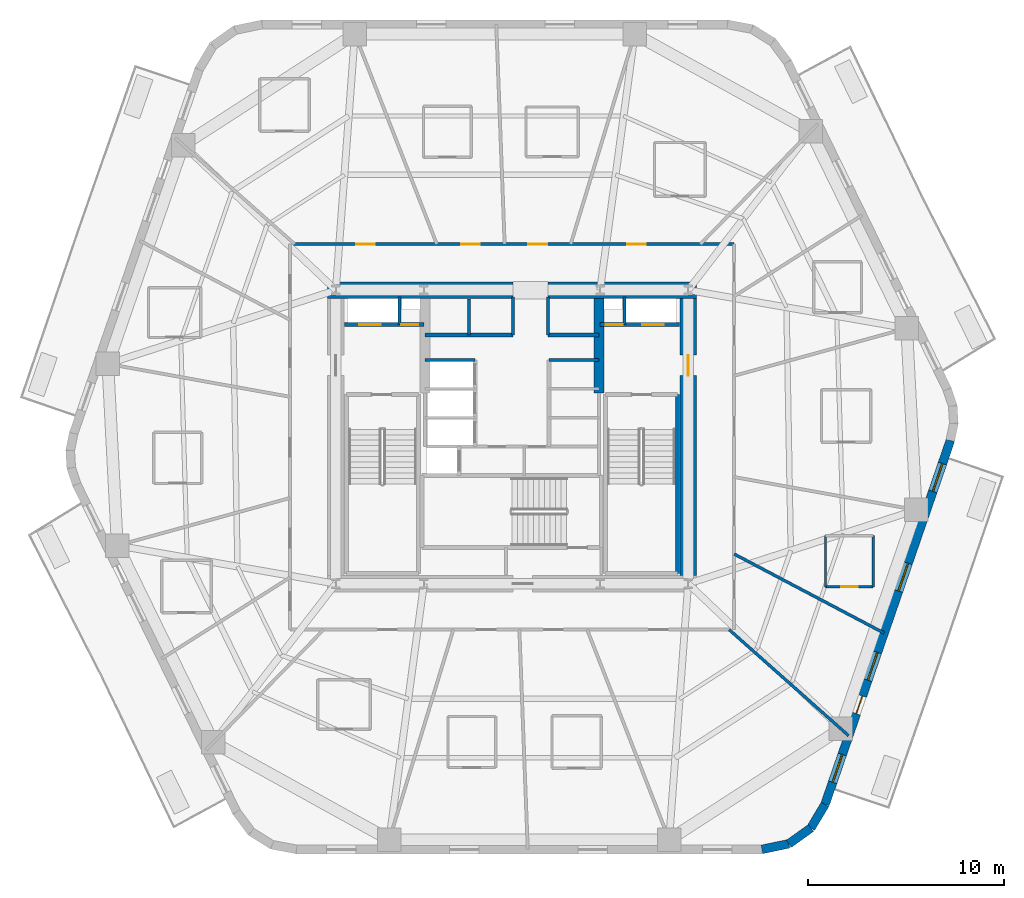
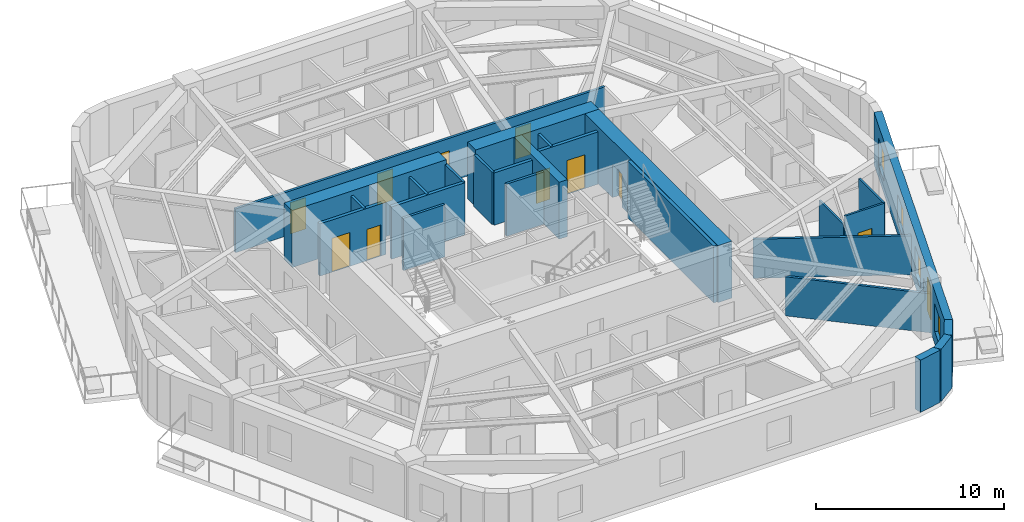
# One storey, part 5 of 10: 26 walls, 11 doors, 4 windows, 15 openings.
"""IFC4 building model written with IfcOpenShell, lengths in metres."""

from ifc_helpers import new_model, si_unit, direction, frame, frame_2d, origin, place, context, subcontext, project, spatial, rectangle, extrude, material, layer, layer_set, type_object, element, fill, save


model = new_model("IFC4")

# Units and contexts
model_context = context("Model", 3, precision=1e-05, world=origin(), true_north=direction((0.0, 1.0)))
body_context = subcontext(model_context, "Body", "Model", "MODEL_VIEW")
ifc_project = project(units=[si_unit("LENGTHUNIT", "METRE"), si_unit("AREAUNIT", "SQUARE_METRE"), si_unit("VOLUMEUNIT", "CUBIC_METRE"), si_unit("PLANEANGLEUNIT", "RADIAN"), si_unit("MASSUNIT", "GRAM", prefix="KILO")], contexts=[model_context])

# Site, building, storey
site_placement = place(None, origin())
site = spatial("IfcSite", under=ifc_project, at=site_placement, CompositionType="ELEMENT")
building_placement = place(site_placement, origin())
building = spatial("IfcBuilding", under=site, at=building_placement, Name="Kilnhurst Terrace Hotel", CompositionType="ELEMENT")
storey_placement = place(building_placement, frame((0.0, 0.0, 121.0)))
storey = spatial("IfcBuildingStorey", under=building, at=storey_placement, Name="L29", CompositionType="ELEMENT", Elevation=121.0)

# Walls
ifc_material_1 = material(Name="Precast concrete C40/50", Category="concrete")
ifc_layer_1 = layer(ifc_material_1, 0.449951171875, Name="Precast concrete C40/50")
ifc_layer_set_1 = layer_set([ifc_layer_1], Name="Precast concrete C40/50")
wall_type_1 = type_object("IfcWallType", Name="WL-BRK-450", PredefinedType="SOLIDWALL", material=ifc_layer_set_1)
wall_1_placement = place(storey_placement, frame((12.7705078125, -21.074951171875, 0.0), z_axis=(0.0, 0.0, 1.0), x_axis=(0.97874281988, 0.205091424819, 0.0)))
element("IfcWall", 1, at=wall_1_placement, inside=storey, type_object=wall_type_1, Name="L29 Rounded Corner Brick Wall C2.1", PredefinedType="SOLIDWALL", context=body_context, shape_type="SweptSolid", body=[
    extrude(rectangle(XDim=1.40576171875, YDim=0.449951171875, at=frame_2d((0.702880859375, 0.0))), origin(), (0.0, 0.0, 1.0), 3.39990234375),
])
wall_2_placement = place(storey_placement, frame((14.146484375, -20.78662109375, 0.0), z_axis=(0.0, 0.0, 1.0), x_axis=(0.814162929117, 0.580636482536, 0.0)))
element("IfcWall", 2, at=wall_2_placement, inside=storey, type_object=wall_type_1, Name="L29 Rounded Corner Brick Wall C2.2", PredefinedType="SOLIDWALL", context=body_context, shape_type="SweptSolid", body=[
    extrude(rectangle(XDim=1.382080078125, YDim=0.449951171875, at=frame_2d((0.69091796875, 0.0))), origin(), (0.0, 0.0, 1.0), 3.39990234375),
])
wall_3_placement = place(storey_placement, frame((15.271728515625, -19.984130859375, 0.0), z_axis=(0.0, 0.0, 1.0), x_axis=(0.512579347361, 0.858639862025, 0.0)))
element("IfcWall", 3, at=wall_3_placement, inside=storey, type_object=wall_type_1, Name="L29 Rounded Corner Brick Wall C2.3", PredefinedType="SOLIDWALL", context=body_context, shape_type="SweptSolid", body=[
    extrude(rectangle(XDim=1.406005859375, YDim=0.449951171875, at=frame_2d((0.703125, 0.0))), origin(), (0.0, 0.0, 1.0), 3.39990234375),
])

# Wall, openings, door, windows
wall_4_placement = place(storey_placement, frame((15.992431640625, -18.77685546875, 0.0), z_axis=(0.0, 0.0, 1.0), x_axis=(0.325606988926, 0.945505202927, 0.0)))
wall_4 = element("IfcWall", 4, at=wall_4_placement, inside=storey, type_object=wall_type_1, Name="L29 Exterior Brick Facade Wall F2", PredefinedType="SOLIDWALL", context=body_context, shape_type="SweptSolid", body=[
    extrude(rectangle(XDim=19.66943359375, YDim=0.449951171875, at=frame_2d((9.834716796875, 0.0))), origin(), (0.0, 0.0, 1.0), 3.39990234375),
])
opening_1_placement = place(wall_4_placement, frame((4.908935546875, 0.0, 0.0)))
opening_1 = element("IfcOpeningElement", 5, at=opening_1_placement, cuts=wall_4, Name="Opening BD-950", PredefinedType="OPENING", context=body_context, shape_type="SweptSolid", body=[
    extrude(rectangle(XDim=0.949951171875, YDim=2.14990234375, at=frame_2d((0.47509765625, 1.074951171875))), frame((0.0, 0.23486328125, 0.0), z_axis=(0.0, -1.0, 0.0), x_axis=(1.0, 0.0, 0.0)), (0.0, 0.0, 1.0), 0.469970703125),
])
opening_2_placement = place(wall_4_placement, frame((1.197021484375, 0.0, 0.800048828125)))
opening_2 = element("IfcOpeningElement", 6, at=opening_2_placement, cuts=wall_4, Name="Opening W-02", PredefinedType="OPENING", context=body_context, shape_type="SweptSolid", body=[
    extrude(rectangle(XDim=1.5, YDim=1.800048828125, at=frame_2d((0.75, 0.89990234375))), frame((0.0, 0.23486328125, 0.0), z_axis=(0.0, -1.0, 0.0), x_axis=(1.0, 0.0, 0.0)), (0.0, 0.0, 1.0), 0.469970703125),
])
opening_3_placement = place(wall_4_placement, frame((6.714111328125, 0.0, 0.800048828125)))
opening_3 = element("IfcOpeningElement", 7, at=opening_3_placement, cuts=wall_4, Name="Opening W-02", PredefinedType="OPENING", context=body_context, shape_type="SweptSolid", body=[
    extrude(rectangle(XDim=1.5, YDim=1.800048828125, at=frame_2d((0.75, 0.89990234375))), frame((0.0, 0.23486328125, 0.0), z_axis=(0.0, -1.0, 0.0), x_axis=(1.0, 0.0, 0.0)), (0.0, 0.0, 1.0), 0.469970703125),
])
opening_4_placement = place(wall_4_placement, frame((11.530029296875, 0.0, 0.800048828125)))
opening_4 = element("IfcOpeningElement", 8, at=opening_4_placement, cuts=wall_4, Name="Opening W-02", PredefinedType="OPENING", context=body_context, shape_type="SweptSolid", body=[
    extrude(rectangle(XDim=1.5, YDim=1.800048828125, at=frame_2d((0.75, 0.89990234375))), frame((0.0, 0.23486328125, 0.0), z_axis=(0.0, -1.0, 0.0), x_axis=(1.0, 0.0, 0.0)), (0.0, 0.0, 1.0), 0.469970703125),
])
opening_5_placement = place(wall_4_placement, frame((16.91796875, 0.0, 0.800048828125)))
opening_5 = element("IfcOpeningElement", 9, at=opening_5_placement, cuts=wall_4, Name="Opening W-02", PredefinedType="OPENING", context=body_context, shape_type="SweptSolid", body=[
    extrude(rectangle(XDim=1.5, YDim=1.800048828125, at=frame_2d((0.75, 0.89990234375))), frame((0.0, 0.23486328125, 0.0), z_axis=(0.0, -1.0, 0.0), x_axis=(1.0, 0.0, 0.0)), (0.0, 0.0, 1.0), 0.469970703125),
])
ifc_material_2 = material(Name="Thermally Broken Bronze Aluminium Alloy 6063-T6 and Laminated Glass", Category="aluminium")
door_type_1 = type_object("IfcDoorType", Name="DR-EXT-BAL-950", OperationType="NOTDEFINED", PredefinedType="DOOR", material=ifc_material_2)
door_1_placement = place(opening_1_placement, origin())
door_1 = element("IfcDoor", 10, at=door_1_placement, inside=storey, type_object=door_type_1, Name="L29 Planted Balcony Door BAL-L1A", OperationType="SINGLE_SWING_RIGHT", OverallHeight=2.14990234375, OverallWidth=0.949951171875, PredefinedType="DOOR", context=body_context, shape_type="SweptSolid", body=[
    extrude(rectangle(XDim=0.949951171875, YDim=2.14990234375, at=frame_2d((0.47509765625, 1.074951171875))), frame((0.0, 0.02490234375, 0.0), z_axis=(0.0, -1.0, 0.0), x_axis=(1.0, 0.0, 0.0)), (0.0, 0.0, 1.0), 0.050048828125),
])
fill(opening_1, door_1)
ifc_material_3 = material(Name="Thermally Broken Bronze Aluminium Alloy 6063-T6 and Low-E Glass", Category="aluminium")
window_type = type_object("IfcWindowType", Name="WIN-1500X1800", PartitioningType="SINGLE_PANEL", PredefinedType="WINDOW", material=ifc_material_3)
window_1_placement = place(opening_2_placement, origin())
window_1 = element("IfcWindow", 11, at=window_1_placement, inside=storey, type_object=window_type, Name="L29 Deep-Set Masonry Window F2.1", OverallHeight=1.800048828125, OverallWidth=1.5, PartitioningType="SINGLE_PANEL", PredefinedType="WINDOW", context=body_context, shape_type="SweptSolid", body=[
    extrude(rectangle(XDim=1.5, YDim=1.800048828125, at=frame_2d((0.75, 0.89990234375))), frame((0.0, 0.030029296875, 0.0), z_axis=(0.0, -1.0, 0.0), x_axis=(1.0, 0.0, 0.0)), (0.0, 0.0, 1.0), 0.06005859375),
])
fill(opening_2, window_1)
window_2_placement = place(opening_3_placement, origin())
window_2 = element("IfcWindow", 12, at=window_2_placement, inside=storey, type_object=window_type, Name="L29 Deep-Set Masonry Window F2.2", OverallHeight=1.800048828125, OverallWidth=1.5, PartitioningType="SINGLE_PANEL", PredefinedType="WINDOW", context=body_context, shape_type="SweptSolid", body=[
    extrude(rectangle(XDim=1.5, YDim=1.800048828125, at=frame_2d((0.75, 0.89990234375))), frame((0.0, 0.030029296875, 0.0), z_axis=(0.0, -1.0, 0.0), x_axis=(1.0, 0.0, 0.0)), (0.0, 0.0, 1.0), 0.06005859375),
])
fill(opening_3, window_2)
window_3_placement = place(opening_4_placement, origin())
window_3 = element("IfcWindow", 13, at=window_3_placement, inside=storey, type_object=window_type, Name="L29 Deep-Set Masonry Window F2.3", OverallHeight=1.800048828125, OverallWidth=1.5, PartitioningType="SINGLE_PANEL", PredefinedType="WINDOW", context=body_context, shape_type="SweptSolid", body=[
    extrude(rectangle(XDim=1.5, YDim=1.800048828125, at=frame_2d((0.75, 0.89990234375))), frame((0.0, 0.030029296875, 0.0), z_axis=(0.0, -1.0, 0.0), x_axis=(1.0, 0.0, 0.0)), (0.0, 0.0, 1.0), 0.06005859375),
])
fill(opening_4, window_3)
window_4_placement = place(opening_5_placement, origin())
window_4 = element("IfcWindow", 14, at=window_4_placement, inside=storey, type_object=window_type, Name="L29 Deep-Set Masonry Window F2.4", OverallHeight=1.800048828125, OverallWidth=1.5, PartitioningType="SINGLE_PANEL", PredefinedType="WINDOW", context=body_context, shape_type="SweptSolid", body=[
    extrude(rectangle(XDim=1.5, YDim=1.800048828125, at=frame_2d((0.75, 0.89990234375))), frame((0.0, 0.030029296875, 0.0), z_axis=(0.0, -1.0, 0.0), x_axis=(1.0, 0.0, 0.0)), (0.0, 0.0, 1.0), 0.06005859375),
])
fill(opening_5, window_4)

# Wall, openings, doors
ifc_material_4 = material(Name="Acoustic Double-Gypsum Corridor Partition Assembly")
ifc_layer_2 = layer(ifc_material_4, 0.14990234375, Name="Acoustic Double-Gypsum Corridor Partition Assembly")
ifc_layer_set_2 = layer_set([ifc_layer_2], Name="Acoustic Double-Gypsum Corridor Partition Assembly")
wall_type_2 = type_object("IfcWallType", Name="WL-COR-150", PredefinedType="PARTITIONING", material=ifc_layer_set_2)
wall_5_placement = place(storey_placement, frame((-11.35009765625, 9.85009765625, 0.0), z_axis=(0.0, 0.0, 1.0), x_axis=(1.0, 0.0, 0.0)))
wall_5 = element("IfcWall", 15, at=wall_5_placement, inside=storey, type_object=wall_type_2, Name="L29 Interior Wall WL-L29-COR-02", PredefinedType="PARTITIONING", context=body_context, shape_type="SweptSolid", body=[
    extrude(rectangle(XDim=22.7001953125, YDim=0.14990234375, at=frame_2d((11.35009765625, 0.0))), origin(), (0.0, 0.0, 1.0), 2.840087890625),
])
opening_6_placement = place(wall_5_placement, frame((17.237060546875, 0.0, 0.0)))
opening_6 = element("IfcOpeningElement", 16, at=opening_6_placement, cuts=wall_5, Name="Opening D-60B", PredefinedType="OPENING", context=body_context, shape_type="SweptSolid", body=[
    extrude(rectangle(XDim=0.949951171875, YDim=2.030029296875, at=frame_2d((0.47509765625, 1.01513671875))), frame((0.0, 0.0849609375, 0.0), z_axis=(0.0, -1.0, 0.0), x_axis=(1.0, 0.0, 0.0)), (0.0, 0.0, 1.0), 0.169921875),
])
opening_7_placement = place(wall_5_placement, frame((12.19189453125, 0.0, 0.0)))
opening_7 = element("IfcOpeningElement", 17, at=opening_7_placement, cuts=wall_5, Name="Opening D-60B", PredefinedType="OPENING", context=body_context, shape_type="SweptSolid", body=[
    extrude(rectangle(XDim=0.949951171875, YDim=2.030029296875, at=frame_2d((0.47509765625, 1.01513671875))), frame((0.0, 0.0849609375, 0.0), z_axis=(0.0, -1.0, 0.0), x_axis=(1.0, 0.0, 0.0)), (0.0, 0.0, 1.0), 0.169921875),
])
opening_8_placement = place(wall_5_placement, frame((8.757080078125, 0.0, 0.0)))
opening_8 = element("IfcOpeningElement", 18, at=opening_8_placement, cuts=wall_5, Name="Opening D-60B", PredefinedType="OPENING", context=body_context, shape_type="SweptSolid", body=[
    extrude(rectangle(XDim=0.949951171875, YDim=2.030029296875, at=frame_2d((0.47509765625, 1.01513671875))), frame((0.0, 0.0849609375, 0.0), z_axis=(0.0, -1.0, 0.0), x_axis=(1.0, 0.0, 0.0)), (0.0, 0.0, 1.0), 0.169921875),
])
opening_9_placement = place(wall_5_placement, frame((3.39892578125, 0.0, 0.0)))
opening_9 = element("IfcOpeningElement", 19, at=opening_9_placement, cuts=wall_5, Name="Opening D-60B", PredefinedType="OPENING", context=body_context, shape_type="SweptSolid", body=[
    extrude(rectangle(XDim=0.949951171875, YDim=2.030029296875, at=frame_2d((0.47509765625, 1.01513671875))), frame((0.0, 0.0849609375, 0.0), z_axis=(0.0, -1.0, 0.0), x_axis=(1.0, 0.0, 0.0)), (0.0, 0.0, 1.0), 0.169921875),
])
ifc_material_5 = material(Name="Acoustic Walnut Veneer Solid-Core Fire Door")
door_type_2 = type_object("IfcDoorType", Name="DR-FD60-950", OperationType="NOTDEFINED", PredefinedType="DOOR", material=ifc_material_5)
door_2_placement = place(opening_6_placement, origin())
door_2 = element("IfcDoor", 20, at=door_2_placement, inside=storey, type_object=door_type_2, Name="L29 Executive Suite Entry Door 3", OperationType="SINGLE_SWING_LEFT", OverallHeight=2.030029296875, OverallWidth=0.949951171875, PredefinedType="DOOR", context=body_context, shape_type="SweptSolid", body=[
    extrude(rectangle(XDim=0.949951171875, YDim=2.030029296875, at=frame_2d((0.47509765625, 1.01513671875))), frame((0.0, 0.02490234375, 0.0), z_axis=(0.0, -1.0, 0.0), x_axis=(1.0, 0.0, 0.0)), (0.0, 0.0, 1.0), 0.050048828125),
])
fill(opening_6, door_2)
door_3_placement = place(opening_7_placement, origin())
door_3 = element("IfcDoor", 21, at=door_3_placement, inside=storey, type_object=door_type_2, Name="L29 Guest Room Entry Door 4", OperationType="SINGLE_SWING_RIGHT", OverallHeight=2.030029296875, OverallWidth=0.949951171875, PredefinedType="DOOR", context=body_context, shape_type="SweptSolid", body=[
    extrude(rectangle(XDim=0.949951171875, YDim=2.030029296875, at=frame_2d((0.47509765625, 1.01513671875))), frame((0.0, 0.02490234375, 0.0), z_axis=(0.0, -1.0, 0.0), x_axis=(1.0, 0.0, 0.0)), (0.0, 0.0, 1.0), 0.050048828125),
])
fill(opening_7, door_3)
door_4_placement = place(opening_8_placement, origin())
door_4 = element("IfcDoor", 22, at=door_4_placement, inside=storey, type_object=door_type_2, Name="L29 Guest Room Entry Door 5", OperationType="SINGLE_SWING_LEFT", OverallHeight=2.030029296875, OverallWidth=0.949951171875, PredefinedType="DOOR", context=body_context, shape_type="SweptSolid", body=[
    extrude(rectangle(XDim=0.949951171875, YDim=2.030029296875, at=frame_2d((0.47509765625, 1.01513671875))), frame((0.0, 0.02490234375, 0.0), z_axis=(0.0, -1.0, 0.0), x_axis=(1.0, 0.0, 0.0)), (0.0, 0.0, 1.0), 0.050048828125),
])
fill(opening_8, door_4)
door_5_placement = place(opening_9_placement, origin())
door_5 = element("IfcDoor", 23, at=door_5_placement, inside=storey, type_object=door_type_2, Name="L29 Executive Suite Entry Door 6", OperationType="SINGLE_SWING_RIGHT", OverallHeight=2.030029296875, OverallWidth=0.949951171875, PredefinedType="DOOR", context=body_context, shape_type="SweptSolid", body=[
    extrude(rectangle(XDim=0.949951171875, YDim=2.030029296875, at=frame_2d((0.47509765625, 1.01513671875))), frame((0.0, 0.02490234375, 0.0), z_axis=(0.0, -1.0, 0.0), x_axis=(1.0, 0.0, 0.0)), (0.0, 0.0, 1.0), 0.050048828125),
])
fill(opening_9, door_5)

# Walls
ifc_material_6 = material(Name="Concrete C80/95", Category="concrete")
ifc_layer_3 = layer(ifc_material_6, 0.85009765625, Name="Concrete C80/95")
ifc_layer_set_3 = layer_set([ifc_layer_3], Name="Concrete C80/95")
wall_type_3 = type_object("IfcWallType", Name="WL-CORE-850", PredefinedType="SHEAR", material=ifc_layer_set_3)
wall_6_placement = place(storey_placement, frame((-9.425048828125, 7.5, 0.0), z_axis=(0.0, 0.0, 1.0), x_axis=(1.0, 0.0, 0.0)))
element("IfcWall", 24, at=wall_6_placement, inside=storey, type_object=wall_type_3, Name="L29 Core North West Shear Wall", PredefinedType="SHEAR", context=body_context, shape_type="SweptSolid", body=[
    extrude(rectangle(XDim=9.47509765625, YDim=0.85009765625, at=frame_2d((4.737548828125, 0.0))), origin(), (0.0, 0.0, 1.0), 3.699951171875),
])
wall_7_placement = place(storey_placement, frame((1.85009765625, 7.5, 0.0), z_axis=(0.0, 0.0, 1.0), x_axis=(1.0, 0.0, 0.0)))
element("IfcWall", 25, at=wall_7_placement, inside=storey, type_object=wall_type_3, Name="L29 Core North East Shear Wall", PredefinedType="SHEAR", context=body_context, shape_type="SweptSolid", body=[
    extrude(rectangle(XDim=7.574951171875, YDim=0.85009765625, at=frame_2d((3.78759765625, 0.0))), origin(), (0.0, 0.0, 1.0), 3.699951171875),
])

# Wall, opening, door
wall_8_placement = place(storey_placement, frame((9.0, -7.074951171875, 0.0), z_axis=(0.0, 0.0, 1.0), x_axis=(0.0, 1.0, 0.0)))
wall_8 = element("IfcWall", 26, at=wall_8_placement, inside=storey, type_object=wall_type_3, Name="L29 Core East Shear Wall", PredefinedType="SHEAR", context=body_context, shape_type="SweptSolid", body=[
    extrude(rectangle(XDim=14.14990234375, YDim=0.85009765625, at=frame_2d((7.074951171875, 0.0))), origin(), (0.0, 0.0, 1.0), 3.699951171875),
])
opening_10_placement = place(wall_8_placement, frame((10.199951171875, 0.0, 0.0)))
opening_10 = element("IfcOpeningElement", 27, at=opening_10_placement, cuts=wall_8, Name="Opening D-90A", PredefinedType="OPENING", context=body_context, shape_type="SweptSolid", body=[
    extrude(rectangle(XDim=1.050048828125, YDim=2.14990234375, at=frame_2d((0.52490234375, 1.074951171875))), frame((0.0, 0.43505859375, 0.0), z_axis=(0.0, -1.0, 0.0), x_axis=(1.0, 0.0, 0.0)), (0.0, 0.0, 1.0), 0.8701171875),
])
ifc_material_7 = material(Name="Painted Hollow Metal Steel ASTM A36 Fire Door", Category="steel")
door_type_3 = type_object("IfcDoorType", Name="DR-FD90-1050", OperationType="NOTDEFINED", PredefinedType="DOOR", material=ifc_material_7)
door_6_placement = place(opening_10_placement, origin())
door_6 = element("IfcDoor", 28, at=door_6_placement, inside=storey, type_object=door_type_3, Name="L29 East Firefighting Lobby Door", OperationType="SINGLE_SWING_LEFT", OverallHeight=2.14990234375, OverallWidth=1.050048828125, PredefinedType="DOOR", context=body_context, shape_type="SweptSolid", body=[
    extrude(rectangle(XDim=1.050048828125, YDim=2.14990234375, at=frame_2d((0.52490234375, 1.074951171875))), frame((0.0, 0.02490234375, 0.0), z_axis=(0.0, -1.0, 0.0), x_axis=(1.0, 0.0, 0.0)), (0.0, 0.0, 1.0), 0.050048828125),
])
fill(opening_10, door_6)

# Walls
ifc_material_8 = material(Name="Concrete C60/75", Category="concrete")
ifc_layer_4 = layer(ifc_material_8, 0.5, Name="Concrete C60/75")
ifc_layer_set_4 = layer_set([ifc_layer_4], Name="Concrete C60/75")
wall_type_4 = type_object("IfcWallType", Name="WL-CORE-WEB-500", PredefinedType="SHEAR", material=ifc_layer_set_4)
wall_9_placement = place(storey_placement, frame((4.449951171875, 2.25, 0.0), z_axis=(0.0, 0.0, 1.0), x_axis=(0.0, 1.0, 0.0)))
element("IfcWall", 29, at=wall_9_placement, inside=storey, type_object=wall_type_4, Name="L29 Core Internal East Shear Web", PredefinedType="SHEAR", context=body_context, shape_type="SweptSolid", body=[
    extrude(rectangle(XDim=4.824951171875, YDim=0.5, at=frame_2d((2.41259765625, 0.0))), origin(), (0.0, 0.0, 1.0), 3.699951171875),
])
ifc_material_9 = material(Name="STC-58 Acoustic Twin-Frame Guestroom Demising Partition")
ifc_layer_5 = layer(ifc_material_9, 0.14990234375, Name="STC-58 Acoustic Twin-Frame Guestroom Demising Partition")
ifc_layer_set_5 = layer_set([ifc_layer_5], Name="STC-58 Acoustic Twin-Frame Guestroom Demising Partition")
wall_type_5 = type_object("IfcWallType", Name="WL-DEM-150", PredefinedType="PARTITIONING", material=ifc_layer_set_5)
wall_10_placement = place(storey_placement, frame((11.097900390625, -9.85009765625, 0.0), z_axis=(0.0, 0.0, 1.0), x_axis=(0.747904295103, -0.663806572253, 0.0)))
element("IfcWall", 30, at=wall_10_placement, inside=storey, type_object=wall_type_5, Name="L29 Interior Wall WL-L29-DEM-COL11-16-1", PredefinedType="PARTITIONING", context=body_context, shape_type="SweptSolid", body=[
    extrude(rectangle(XDim=8.160400390625, YDim=0.14990234375, at=frame_2d((4.080078125, 0.0))), origin(), (0.0, 0.0, 1.0), 2.5400390625),
])
wall_11_placement = place(storey_placement, frame((11.35009765625, -5.9833984375, 0.0), z_axis=(0.0, 0.0, 1.0), x_axis=(0.884597447182, -0.466355397137, 0.0)))
element("IfcWall", 31, at=wall_11_placement, inside=storey, type_object=wall_type_5, Name="L29 Interior Wall WL-L29-DEM-MID11-17-1", PredefinedType="PARTITIONING", context=body_context, shape_type="SweptSolid", body=[
    extrude(rectangle(XDim=8.65673828125, YDim=0.14990234375, at=frame_2d((4.328369140625, 0.0))), origin(), (0.0, 0.0, 1.0), 2.5400390625),
])

# Wall, opening, door
ifc_material_10 = material(Name="120 mm Moisture-Resistant Tile-Backed Bathroom Partition")
ifc_layer_6 = layer(ifc_material_10, 0.1201171875, Name="120 mm Moisture-Resistant Tile-Backed Bathroom Partition")
ifc_layer_set_6 = layer_set([ifc_layer_6], Name="120 mm Moisture-Resistant Tile-Backed Bathroom Partition")
wall_type_6 = type_object("IfcWallType", Name="WL-PART-120", PredefinedType="PARTITIONING", material=ifc_layer_set_6)
wall_12_placement = place(storey_placement, frame((16.014892578125, -7.656005859375, 0.0), z_axis=(0.0, 0.0, 1.0), x_axis=(1.0, 0.0, 0.0)))
wall_12 = element("IfcWall", 32, at=wall_12_placement, inside=storey, type_object=wall_type_6, Name="L29 Interior Wall WL-L29-BTH-17-1", PredefinedType="PARTITIONING", context=body_context, shape_type="SweptSolid", body=[
    extrude(rectangle(XDim=2.440185546875, YDim=0.1201171875, at=frame_2d((1.22021484375, 0.0))), origin(), (0.0, 0.0, 1.0), 3.39990234375),
])
opening_11_placement = place(wall_12_placement, frame((0.794921875, 0.0, 0.0)))
opening_11 = element("IfcOpeningElement", 33, at=opening_11_placement, cuts=wall_12, Name="Opening D-08A", PredefinedType="OPENING", context=body_context, shape_type="SweptSolid", body=[
    extrude(rectangle(XDim=0.85009765625, YDim=2.030029296875, at=frame_2d((0.425048828125, 1.01513671875))), frame((0.0, 0.070068359375, 0.0), z_axis=(0.0, -1.0, 0.0), x_axis=(1.0, 0.0, 0.0)), (0.0, 0.0, 1.0), 0.14013671875),
])
ifc_material_11 = material(Name="Moisture-Resistant Lacquered En-suite Bathroom Door")
door_type_4 = type_object("IfcDoorType", Name="DR-INT-850", OperationType="NOTDEFINED", PredefinedType="DOOR", material=ifc_material_11)
door_7_placement = place(opening_11_placement, origin())
door_7 = element("IfcDoor", 34, at=door_7_placement, inside=storey, type_object=door_type_4, Name="L29 En-suite Bathroom Door 17", OperationType="SINGLE_SWING_RIGHT", OverallHeight=2.030029296875, OverallWidth=0.85009765625, PredefinedType="DOOR", context=body_context, shape_type="SweptSolid", body=[
    extrude(rectangle(XDim=0.85009765625, YDim=2.030029296875, at=frame_2d((0.425048828125, 1.01513671875))), frame((0.0, 0.02490234375, 0.0), z_axis=(0.0, -1.0, 0.0), x_axis=(1.0, 0.0, 0.0)), (0.0, 0.0, 1.0), 0.050048828125),
])
fill(opening_11, door_7)

# Walls
wall_13_placement = place(storey_placement, frame((18.455078125, -7.656005859375, 0.0), z_axis=(0.0, 0.0, 1.0), x_axis=(0.0, 1.0, 0.0)))
element("IfcWall", 35, at=wall_13_placement, inside=storey, type_object=wall_type_6, Name="L29 Interior Wall WL-L29-BTH-17-2", PredefinedType="PARTITIONING", context=body_context, shape_type="SweptSolid", body=[
    extrude(rectangle(XDim=2.610107421875, YDim=0.1201171875, at=frame_2d((1.30517578125, 0.0))), origin(), (0.0, 0.0, 1.0), 3.39990234375),
])
wall_14_placement = place(storey_placement, frame((16.014892578125, -5.0458984375, 0.0), z_axis=(0.0, 0.0, 1.0), x_axis=(0.0, -1.0, 0.0)))
element("IfcWall", 36, at=wall_14_placement, inside=storey, type_object=wall_type_6, Name="L29 Interior Wall WL-L29-BTH-17-4", PredefinedType="PARTITIONING", context=body_context, shape_type="SweptSolid", body=[
    extrude(rectangle(XDim=2.610107421875, YDim=0.1201171875, at=frame_2d((1.30517578125, 0.0))), origin(), (0.0, 0.0, 1.0), 2.840087890625),
])
ifc_material_12 = material(Name="Fire-Rated Gypsum Shaftliner Assembly")
ifc_layer_7 = layer(ifc_material_12, 0.14990234375, Name="Fire-Rated Gypsum Shaftliner Assembly")
ifc_layer_set_7 = layer_set([ifc_layer_7], Name="Fire-Rated Gypsum Shaftliner Assembly")
wall_type_7 = type_object("IfcWallType", Name="WL-SHAFT-150", PredefinedType="PARTITIONING", material=ifc_layer_set_7)
for number, where, z_axis, x_axis, name in (
    (37, (-5.75, 5.739990234375, 0.0), (0.0, 0.0, 1.0), (0.0, 1.0, 0.0), "L29 Interior Wall WL-L29-RIS1-DIV"),
    (38, (5.75, 5.739990234375, 0.0), (0.0, 0.0, 1.0), (0.0, 1.0, 0.0), "L29 Interior Wall WL-L29-RIS2-DIV"),
):
    element("IfcWall", number, at=place(storey_placement, frame(where, z_axis=z_axis, x_axis=x_axis)), inside=storey, type_object=wall_type_7, Name=name, PredefinedType="PARTITIONING", context=body_context, shape_type="SweptSolid", body=[
        extrude(rectangle(XDim=1.409912109375, YDim=0.14990234375, at=frame_2d((0.705078125, 0.0))), origin(), (0.0, 0.0, 1.0), 3.39990234375),
    ])
wall_15_placement = place(storey_placement, frame((-2.199951171875, 5.199951171875, 0.0), z_axis=(0.0, 0.0, 1.0), x_axis=(0.0, 1.0, 0.0)))
element("IfcWall", 39, at=wall_15_placement, inside=storey, type_object=wall_type_7, Name="L29 Interior Wall WL-L29-HR-DIV1", PredefinedType="PARTITIONING", context=body_context, shape_type="SweptSolid", body=[
    extrude(rectangle(XDim=1.85009765625, YDim=0.14990234375, at=frame_2d((0.925048828125, 0.0))), origin(), (0.0, 0.0, 1.0), 3.39990234375),
])
for number, where, z_axis, x_axis, name in (
    (40, (0.050048828125, 5.199951171875, 0.0), (0.0, 0.0, 1.0), (0.0, 1.0, 0.0), "L29 Interior Wall WL-L29-HR-PORTAL-W"),
    (41, (1.85009765625, 5.199951171875, 0.0), (0.0, 0.0, 1.0), (0.0, 1.0, 0.0), "L29 Interior Wall WL-L29-HR-PORTAL-E"),
):
    element("IfcWall", number, at=place(storey_placement, frame(where, z_axis=z_axis, x_axis=x_axis)), inside=storey, type_object=wall_type_7, Name=name, PredefinedType="PARTITIONING", context=body_context, shape_type="SweptSolid", body=[
        extrude(rectangle(XDim=1.949951171875, YDim=0.14990234375, at=frame_2d((0.97509765625, 0.0))), origin(), (0.0, 0.0, 1.0), 3.39990234375),
    ])
for number, where, z_axis, x_axis, name in (
    (42, (-4.449951171875, 3.93994140625, 0.0), (0.0, 0.0, 1.0), (1.0, 0.0, 0.0), "L29 Interior Wall WL-L29-LR-NORTH"),
    (43, (1.89990234375, 3.93994140625, 0.0), (0.0, 0.0, 1.0), (1.0, 0.0, 0.0), "L29 Interior Wall WL-L29-MR-NORTH"),
):
    element("IfcWall", number, at=place(storey_placement, frame(where, z_axis=z_axis, x_axis=x_axis)), inside=storey, type_object=wall_type_7, Name=name, PredefinedType="PARTITIONING", context=body_context, shape_type="SweptSolid", body=[
        extrude(rectangle(XDim=2.550048828125, YDim=0.14990234375, at=frame_2d((1.27490234375, 0.0))), origin(), (0.0, 0.0, 1.0), 3.39990234375),
    ])

# Wall, openings, doors
ifc_material_13 = material(Name="Autoclaved Aerated Concrete C30/37 and Gypsum Shaft Assembly", Category="concrete")
ifc_layer_8 = layer(ifc_material_13, 0.199951171875, Name="Autoclaved Aerated Concrete C30/37 and Gypsum Shaft Assembly")
ifc_layer_set_8 = layer_set([ifc_layer_8], Name="Autoclaved Aerated Concrete C30/37 and Gypsum Shaft Assembly")
wall_type_8 = type_object("IfcWallType", Name="WL-SHAFT-200", PredefinedType="PARTITIONING", material=ifc_layer_set_8)
wall_16_placement = place(storey_placement, frame((-8.550048828125, 5.739990234375, 0.0), z_axis=(0.0, 0.0, 1.0), x_axis=(1.0, 0.0, 0.0)))
wall_16 = element("IfcWall", 44, at=wall_16_placement, inside=storey, type_object=wall_type_8, Name="L29 Interior Wall WL-L29-FSAE1-S", PredefinedType="PARTITIONING", context=body_context, shape_type="SweptSolid", body=[
    extrude(rectangle(XDim=4.050048828125, YDim=0.199951171875, at=frame_2d((2.02490234375, 0.0))), origin(), (0.0, 0.0, 1.0), 3.39990234375),
])
opening_12_placement = place(wall_16_placement, frame((0.75, 0.0, 0.0)))
opening_12 = element("IfcOpeningElement", 45, at=opening_12_placement, cuts=wall_16, Name="Opening LD-F1", PredefinedType="OPENING", context=body_context, shape_type="SweptSolid", body=[
    extrude(rectangle(XDim=1.10009765625, YDim=2.199951171875, at=frame_2d((0.550048828125, 1.10009765625))), frame((0.0, 0.10986328125, 0.0), z_axis=(0.0, -1.0, 0.0), x_axis=(1.0, 0.0, 0.0)), (0.0, 0.0, 1.0), 0.219970703125),
])
opening_13_placement = place(wall_16_placement, frame((2.89990234375, 0.0, 0.0)))
opening_13 = element("IfcOpeningElement", 46, at=opening_13_placement, cuts=wall_16, Name="Opening D-60D", PredefinedType="OPENING", context=body_context, shape_type="SweptSolid", body=[
    extrude(rectangle(XDim=0.85009765625, YDim=2.030029296875, at=frame_2d((0.425048828125, 1.01513671875))), frame((0.0, 0.10986328125, 0.0), z_axis=(0.0, -1.0, 0.0), x_axis=(1.0, 0.0, 0.0)), (0.0, 0.0, 1.0), 0.219970703125),
])
ifc_material_14 = material(Name="Painted Hollow Metal Steel ASTM A36 Riser Door", Category="steel")
door_type_5 = type_object("IfcDoorType", Name="DR-FD60-850", OperationType="NOTDEFINED", PredefinedType="DOOR", material=ifc_material_14)
door_8_placement = place(opening_13_placement, origin())
door_8 = element("IfcDoor", 47, at=door_8_placement, inside=storey, type_object=door_type_5, Name="L29 Electrical Riser Door", OperationType="SINGLE_SWING_LEFT", OverallHeight=2.030029296875, OverallWidth=0.85009765625, PredefinedType="DOOR", context=body_context, shape_type="SweptSolid", body=[
    extrude(rectangle(XDim=0.85009765625, YDim=2.030029296875, at=frame_2d((0.425048828125, 1.01513671875))), frame((0.0, 0.02490234375, 0.0), z_axis=(0.0, -1.0, 0.0), x_axis=(1.0, 0.0, 0.0)), (0.0, 0.0, 1.0), 0.050048828125),
])
fill(opening_13, door_8)
ifc_material_15 = material(Name="Bronze-Anodized Stainless Steel AISI 316L Sliding Door", Category="steel")
door_type_6 = type_object("IfcDoorType", Name="DR-LIFT-1100", OperationType="NOTDEFINED", PredefinedType="DOOR", material=ifc_material_15)
door_9_placement = place(opening_12_placement, origin())
door_9 = element("IfcDoor", 48, at=door_9_placement, inside=storey, type_object=door_type_6, Name="L29 FSAE-1 Landing Door", OperationType="SLIDING_TO_LEFT", OverallHeight=2.199951171875, OverallWidth=1.10009765625, PredefinedType="DOOR", context=body_context, shape_type="SweptSolid", body=[
    extrude(rectangle(XDim=1.10009765625, YDim=2.199951171875, at=frame_2d((0.550048828125, 1.10009765625))), frame((0.0, 0.02490234375, 0.0), z_axis=(0.0, -1.0, 0.0), x_axis=(1.0, 0.0, 0.0)), (0.0, 0.0, 1.0), 0.050048828125),
])
fill(opening_12, door_9)

wall_17_placement = place(storey_placement, frame((4.5, 5.739990234375, 0.0), z_axis=(0.0, 0.0, 1.0), x_axis=(1.0, 0.0, 0.0)))
wall_17 = element("IfcWall", 49, at=wall_17_placement, inside=storey, type_object=wall_type_8, Name="L29 Interior Wall WL-L29-FSAE2-S", PredefinedType="PARTITIONING", context=body_context, shape_type="SweptSolid", body=[
    extrude(rectangle(XDim=4.050048828125, YDim=0.199951171875, at=frame_2d((2.02490234375, 0.0))), origin(), (0.0, 0.0, 1.0), 3.39990234375),
])
opening_14_placement = place(wall_17_placement, frame((0.300048828125, 0.0, 0.0)))
opening_14 = element("IfcOpeningElement", 50, at=opening_14_placement, cuts=wall_17, Name="Opening D-60D", PredefinedType="OPENING", context=body_context, shape_type="SweptSolid", body=[
    extrude(rectangle(XDim=0.85009765625, YDim=2.030029296875, at=frame_2d((0.425048828125, 1.01513671875))), frame((0.0, 0.10986328125, 0.0), z_axis=(0.0, -1.0, 0.0), x_axis=(1.0, 0.0, 0.0)), (0.0, 0.0, 1.0), 0.219970703125),
])
opening_15_placement = place(wall_17_placement, frame((2.14990234375, 0.0, 0.0)))
opening_15 = element("IfcOpeningElement", 51, at=opening_15_placement, cuts=wall_17, Name="Opening LD-F2", PredefinedType="OPENING", context=body_context, shape_type="SweptSolid", body=[
    extrude(rectangle(XDim=1.10009765625, YDim=2.199951171875, at=frame_2d((0.550048828125, 1.10009765625))), frame((0.0, 0.10986328125, 0.0), z_axis=(0.0, -1.0, 0.0), x_axis=(1.0, 0.0, 0.0)), (0.0, 0.0, 1.0), 0.219970703125),
])
door_10_placement = place(opening_14_placement, origin())
door_10 = element("IfcDoor", 52, at=door_10_placement, inside=storey, type_object=door_type_5, Name="L29 Telecom Riser Door", OperationType="SINGLE_SWING_RIGHT", OverallHeight=2.030029296875, OverallWidth=0.85009765625, PredefinedType="DOOR", context=body_context, shape_type="SweptSolid", body=[
    extrude(rectangle(XDim=0.85009765625, YDim=2.030029296875, at=frame_2d((0.425048828125, 1.01513671875))), frame((0.0, 0.02490234375, 0.0), z_axis=(0.0, -1.0, 0.0), x_axis=(1.0, 0.0, 0.0)), (0.0, 0.0, 1.0), 0.050048828125),
])
fill(opening_14, door_10)
door_11_placement = place(opening_15_placement, origin())
door_11 = element("IfcDoor", 53, at=door_11_placement, inside=storey, type_object=door_type_6, Name="L29 FSAE-2 Landing Door", OperationType="SLIDING_TO_RIGHT", OverallHeight=2.199951171875, OverallWidth=1.10009765625, PredefinedType="DOOR", context=body_context, shape_type="SweptSolid", body=[
    extrude(rectangle(XDim=1.10009765625, YDim=2.199951171875, at=frame_2d((0.550048828125, 1.10009765625))), frame((0.0, 0.02490234375, 0.0), z_axis=(0.0, -1.0, 0.0), x_axis=(1.0, 0.0, 0.0)), (0.0, 0.0, 1.0), 0.050048828125),
])
fill(opening_15, door_11)

# Walls
wall_18_placement = place(storey_placement, frame((-4.449951171875, 5.199951171875, 0.0), z_axis=(0.0, 0.0, 1.0), x_axis=(1.0, 0.0, 0.0)))
element("IfcWall", 54, at=wall_18_placement, inside=storey, type_object=wall_type_8, Name="L29 Interior Wall WL-L29-HR-SW", PredefinedType="PARTITIONING", context=body_context, shape_type="SweptSolid", body=[
    extrude(rectangle(XDim=4.5, YDim=0.199951171875, at=frame_2d((2.25, 0.0))), origin(), (0.0, 0.0, 1.0), 3.39990234375),
])
wall_19_placement = place(storey_placement, frame((1.85009765625, 5.199951171875, 0.0), z_axis=(0.0, 0.0, 1.0), x_axis=(1.0, 0.0, 0.0)))
element("IfcWall", 55, at=wall_19_placement, inside=storey, type_object=wall_type_8, Name="L29 Interior Wall WL-L29-HR-SE", PredefinedType="PARTITIONING", context=body_context, shape_type="SweptSolid", body=[
    extrude(rectangle(XDim=2.599853515625, YDim=0.199951171875, at=frame_2d((1.2998046875, 0.0))), origin(), (0.0, 0.0, 1.0), 3.39990234375),
])
ifc_material_16 = material(Name="Concrete C50/60", Category="concrete")
ifc_layer_9 = layer(ifc_material_16, 0.199951171875, Name="Concrete C50/60")
ifc_layer_set_9 = layer_set([ifc_layer_9], Name="Concrete C50/60")
wall_type_9 = type_object("IfcWallType", Name="WL-STAIR-RC-200", PredefinedType="SHEAR", material=ifc_layer_set_9)
wall_20_placement = place(storey_placement, frame((8.4580078125, -6.985107421875, 0.0), z_axis=(0.0, 0.0, 1.0), x_axis=(0.0, 1.0, 0.0)))
element("IfcWall", 56, at=wall_20_placement, inside=storey, type_object=wall_type_9, Name="L29 Structural Stair Shaft Wall WL-L29-ST2-E", PredefinedType="SHEAR", context=body_context, shape_type="SweptSolid", body=[
    extrude(rectangle(XDim=9.14306640625, YDim=0.199951171875, at=frame_2d((4.571533203125, 0.0))), origin(), (0.0, 0.0, 1.0), 3.699951171875),
])

save(model, "model.ifc")
